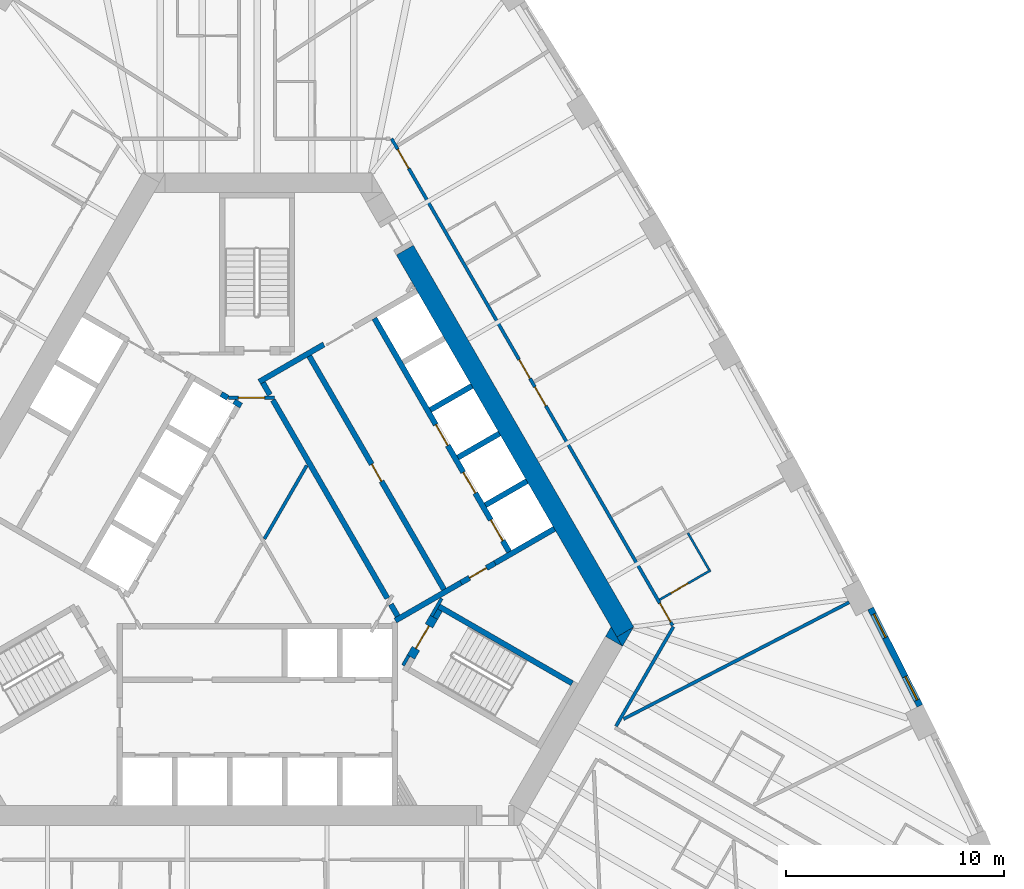
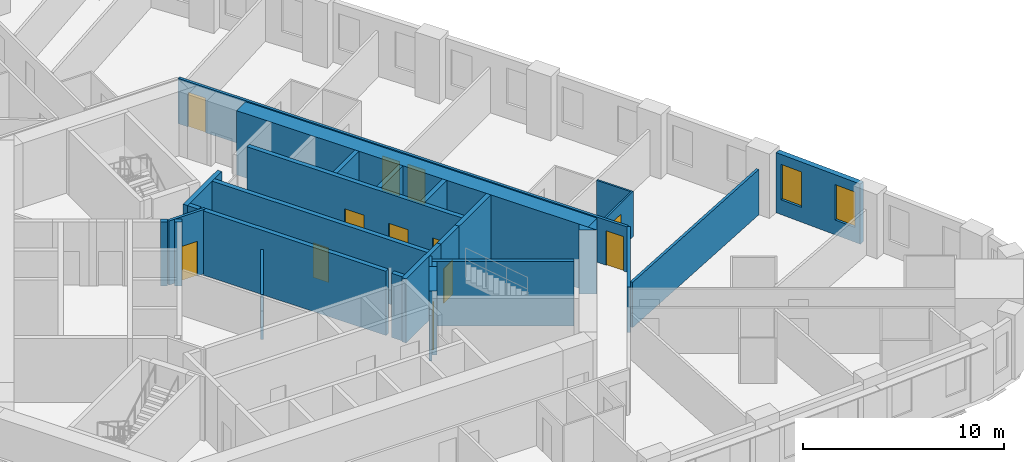
# One storey, part 8 of 13: 30 walls, 12 doors, 2 windows, 14 openings.
"""IFC4 building model written with IfcOpenShell, lengths in metres."""

from ifc_helpers import new_model, si_unit, direction, frame, frame_2d, origin, place, context, subcontext, project, spatial, polyline, rectangle, outline, extrude, material, layer, layer_set, type_object, element, fill, save


model = new_model("IFC4")

# Units and contexts
model_context = context("Model", 3, precision=1e-05, world=origin(), true_north=direction((0.0, 1.0)))
body_context = subcontext(model_context, "Body", "Model", "MODEL_VIEW")
ifc_project = project(units=[si_unit("LENGTHUNIT", "METRE"), si_unit("AREAUNIT", "SQUARE_METRE"), si_unit("VOLUMEUNIT", "CUBIC_METRE"), si_unit("PLANEANGLEUNIT", "RADIAN"), si_unit("MASSUNIT", "GRAM", prefix="KILO")], contexts=[model_context])

# Site, building, storey
site_placement = place(None, origin())
site = spatial("IfcSite", under=ifc_project, at=site_placement, CompositionType="ELEMENT")
building_placement = place(site_placement, origin())
building = spatial("IfcBuilding", under=site, at=building_placement, Name="Mestral Congress Tower", CompositionType="ELEMENT")
storey_placement = place(building_placement, frame((0.0, 0.0, 51.0)))
storey = spatial("IfcBuildingStorey", under=building, at=storey_placement, Name="L11", CompositionType="ELEMENT", Elevation=51.0)

# Walls
ifc_material_1 = material(Name="Fire-rated board partition")
ifc_layer_1 = layer(ifc_material_1, 0.14990234375)
ifc_layer_set_1 = layer_set([ifc_layer_1], Name="Fire-rated board partition")
wall_type_1 = type_object("IfcWallType", Name="Core partition 150", PredefinedType="PARTITIONING", material=ifc_layer_set_1)
wall_1_placement = place(storey_placement, frame((6.94482421875, -5.22216796875, 0.0), z_axis=(0.0, 0.0, 1.0), x_axis=(-0.499818422106, -0.866130212453, 0.0)))
element("IfcWall", 1, at=wall_1_placement, inside=storey, type_object=wall_type_1, Name="L11 core wall", PredefinedType="PARTITIONING", context=body_context, shape_type="SweptSolid", body=[
    extrude(rectangle(XDim=0.513916015625, YDim=0.14990234375, at=frame_2d((0.2568359375, 0.0))), origin(), (0.0, 0.0, 1.0), 2.75),
])
wall_2_placement = place(storey_placement, frame((0.3359375, 0.1318359375, 0.0), z_axis=(0.0, 0.0, 1.0), x_axis=(0.500001957507, 0.866024273614, 0.0)))
element("IfcWall", 2, at=wall_2_placement, inside=storey, type_object=wall_type_1, Name="L11 core wall", PredefinedType="PARTITIONING", context=body_context, shape_type="SweptSolid", body=[
    extrude(rectangle(XDim=3.88134765625, YDim=0.14990234375, at=frame_2d((1.940673828125, 0.0))), origin(), (0.0, 0.0, 1.0), 2.75),
])
ifc_material_2 = material(Name="Concrete C60/75", Category="concrete")
ifc_layer_2 = layer(ifc_material_2, 0.89990234375)
ifc_layer_set_2 = layer_set([ifc_layer_2], Name="Concrete C60/75")
wall_type_2 = type_object("IfcWallType", Name="Core wall RC 900", PredefinedType="SOLIDWALL", material=ifc_layer_set_2)
wall_3_placement = place(storey_placement, frame((6.77587890625, 13.36376953125, 0.0), z_axis=(0.0, 0.0, 1.0), x_axis=(0.500004177138, -0.8660229921, 0.0)))
element("IfcWall", 3, at=wall_3_placement, inside=storey, type_object=wall_type_2, Name="L11 core wall", PredefinedType="SOLIDWALL", context=body_context, shape_type="SweptSolid", body=[
    extrude(rectangle(XDim=20.203857421875, YDim=0.89990234375, at=frame_2d((10.10205078125, 0.0))), origin(), (0.0, 0.0, 1.0), 3.89990234375),
])
placement = place(storey_placement, origin())
element("IfcWall", 4, at=placement, inside=storey, type_object=wall_type_2, Name="L11 core wall", PredefinedType="SOLIDWALL", context=body_context, shape_type="SweptSolid", body=[
    extrude(outline(polyline([(16.7431640625, -4.800048828125), (16.4892578125, -4.360107421875), (17.251220703125, -3.920166015625), (16.7431640625, -4.800048828125)])), origin(), (0.0, 0.0, 1.0), 3.89990234375),
])
element("IfcWall", 5, at=placement, inside=storey, type_object=wall_type_2, Name="L11 core wall", PredefinedType="SOLIDWALL", context=body_context, shape_type="SweptSolid", body=[
    extrude(outline(polyline([(16.223388671875, -3.89990234375), (16.731689453125, -4.780029296875), (15.969482421875, -4.33984375), (16.223388671875, -3.89990234375)])), origin(), (0.0, 0.0, 1.0), 3.89990234375),
])

# Wall, openings, windows
ifc_material_3 = material(Name="Precast concrete C40/50 with limestone facing", Category="masonry")
ifc_layer_3 = layer(ifc_material_3, 0.2900390625)
ifc_layer_set_3 = layer_set([ifc_layer_3], Name="Precast concrete C40/50 with limestone facing")
wall_type_3 = type_object("IfcWallType", Name="Facade stone wall 290", PredefinedType="SOLIDWALL", material=ifc_layer_set_3)
wall_6_placement = place(storey_placement, frame((30.376953125, -7.5205078125, 0.0), z_axis=(0.0, 0.0, 1.0), x_axis=(-0.451233929645, 0.892405704115, 0.0)))
wall_6 = element("IfcWall", 6, at=wall_6_placement, inside=storey, type_object=wall_type_3, Name="Facade wall F1-01", PredefinedType="SOLIDWALL", context=body_context, shape_type="SweptSolid", body=[
    extrude(rectangle(XDim=4.998291015625, YDim=0.2900390625, at=frame_2d((2.4990234375, 0.0))), origin(), (0.0, 0.0, 1.0), 3.64990234375),
])
opening_1_placement = place(wall_6_placement, frame((0.297119140625, 0.0, 0.89990234375)))
opening_1 = element("IfcOpeningElement", 7, at=opening_1_placement, cuts=wall_6, Name="Opening W1", PredefinedType="OPENING", context=body_context, shape_type="SweptSolid", body=[
    extrude(rectangle(XDim=1.199951171875, YDim=2.14990234375, at=frame_2d((0.60009765625, 1.074951171875))), frame((0.0, 0.155029296875, 0.0), z_axis=(0.0, -1.0, 0.0), x_axis=(1.0, 0.0, 0.0)), (0.0, 0.0, 1.0), 0.31005859375),
])
opening_2_placement = place(wall_6_placement, frame((3.501220703125, 0.0, 0.89990234375)))
opening_2 = element("IfcOpeningElement", 8, at=opening_2_placement, cuts=wall_6, Name="Opening W1", PredefinedType="OPENING", context=body_context, shape_type="SweptSolid", body=[
    extrude(rectangle(XDim=1.199951171875, YDim=2.14990234375, at=frame_2d((0.60009765625, 1.074951171875))), frame((0.0, 0.155029296875, 0.0), z_axis=(0.0, -1.0, 0.0), x_axis=(1.0, 0.0, 0.0)), (0.0, 0.0, 1.0), 0.31005859375),
])
ifc_material_4 = material(Name="Clear low-emissivity double glazing", Category="glass")
window_type = type_object("IfcWindowType", Name="Facade punched window 1200 x 2150 sill 900", PartitioningType="DOUBLE_PANEL_VERTICAL", PredefinedType="WINDOW", material=ifc_material_4)
window_1_placement = place(opening_1_placement, origin())
window_1 = element("IfcWindow", 9, at=window_1_placement, inside=storey, type_object=window_type, Name="Window F1-01a", OverallHeight=2.14990234375, OverallWidth=1.199951171875, PartitioningType="DOUBLE_PANEL_VERTICAL", PredefinedType="WINDOW", context=body_context, shape_type="SweptSolid", body=[
    extrude(rectangle(XDim=1.199951171875, YDim=2.14990234375, at=frame_2d((0.60009765625, 1.074951171875))), frame((0.0, 0.01513671875, 0.0), z_axis=(0.0, -1.0, 0.0), x_axis=(1.0, 0.0, 0.0)), (0.0, 0.0, 1.0), 0.06005859375),
])
fill(opening_1, window_1)
window_2_placement = place(opening_2_placement, origin())
window_2 = element("IfcWindow", 10, at=window_2_placement, inside=storey, type_object=window_type, Name="Window F1-01b", OverallHeight=2.14990234375, OverallWidth=1.199951171875, PartitioningType="DOUBLE_PANEL_VERTICAL", PredefinedType="WINDOW", context=body_context, shape_type="SweptSolid", body=[
    extrude(rectangle(XDim=1.199951171875, YDim=2.14990234375, at=frame_2d((0.60009765625, 1.074951171875))), frame((0.0, 0.01513671875, 0.0), z_axis=(0.0, -1.0, 0.0), x_axis=(1.0, 0.0, 0.0)), (0.0, 0.0, 1.0), 0.06005859375),
])
fill(opening_2, window_2)

# Wall, opening, door
ifc_material_5 = material(Name="Gypsum board partition on metal studs with mineral wool", Category="composite")
ifc_layer_4 = layer(ifc_material_5, 0.10009765625)
ifc_layer_set_4 = layer_set([ifc_layer_4], Name="Gypsum board partition on metal studs with mineral wool")
wall_type_4 = type_object("IfcWallType", Name="Hotel partition wall 100", PredefinedType="PARTITIONING", material=ifc_layer_set_4)
wall_7_placement = place(storey_placement, frame((18.45068359375, -2.657470703125, 0.0), z_axis=(0.0, 0.0, 1.0), x_axis=(0.86599734893, 0.500048589285, 0.0)))
wall_7 = element("IfcWall", 11, at=wall_7_placement, inside=storey, type_object=wall_type_4, Name="L11-h-pod11a", PredefinedType="PARTITIONING", context=body_context, shape_type="SweptSolid", body=[
    extrude(rectangle(XDim=2.699951171875, YDim=0.10009765625, at=frame_2d((1.35009765625, 0.0))), origin(), (0.0, 0.0, 1.0), 2.75),
])
opening_3_placement = place(wall_7_placement, frame((0.60009765625, 0.0, 0.0)))
opening_3 = element("IfcOpeningElement", 12, at=opening_3_placement, cuts=wall_7, Name="Opening H03-022", PredefinedType="OPENING", context=body_context, shape_type="SweptSolid", body=[
    extrude(rectangle(XDim=0.89990234375, YDim=2.10009765625, at=frame_2d((0.449951171875, 1.050048828125))), frame((0.0, 0.06005859375, 0.0), z_axis=(0.0, -1.0, 0.0), x_axis=(1.0, 0.0, 0.0)), (0.0, 0.0, 1.0), 0.1201171875),
])
ifc_material_6 = material(Name="Timber veneer door leaf in timber frame", Category="wood")
door_type_1 = type_object("IfcDoorType", Name="Bathroom door 900", OperationType="SINGLE_SWING_LEFT", PredefinedType="DOOR", material=ifc_material_6)
door_1_placement = place(opening_3_placement, origin())
door_1 = element("IfcDoor", 13, at=door_1_placement, inside=storey, type_object=door_type_1, Name="L11-h-d022", OperationType="SINGLE_SWING_LEFT", OverallHeight=2.10009765625, OverallWidth=0.89990234375, PredefinedType="DOOR", context=body_context, shape_type="SweptSolid", body=[
    extrude(rectangle(XDim=0.89990234375, YDim=2.10009765625, at=frame_2d((0.449951171875, 1.050048828125))), frame((0.0, 0.02490234375, 0.0), z_axis=(0.0, -1.0, 0.0), x_axis=(1.0, 0.0, 0.0)), (0.0, 0.0, 1.0), 0.050048828125),
])
fill(opening_3, door_1)

# Walls
wall_8_placement = place(storey_placement, frame((20.715576171875, -1.280517578125, 0.0), z_axis=(0.0, 0.0, 1.0), x_axis=(-0.499969367985, 0.866043088465, 0.0)))
element("IfcWall", 14, at=wall_8_placement, inside=storey, type_object=wall_type_4, Name="L11-h-pod11b", PredefinedType="PARTITIONING", context=body_context, shape_type="SweptSolid", body=[
    extrude(rectangle(XDim=1.93994140625, YDim=0.10009765625, at=frame_2d((0.969970703125, 0.0))), origin(), (0.0, 0.0, 1.0), 2.75),
])
ifc_layer_5 = layer(ifc_material_5, 0.14990234375)
ifc_layer_set_5 = layer_set([ifc_layer_5], Name="Gypsum board partition on metal studs with mineral wool")
wall_type_5 = type_object("IfcWallType", Name="Hotel partition wall 150", PredefinedType="PARTITIONING", material=ifc_layer_set_5)
wall_9_placement = place(storey_placement, frame((19.081298828125, -3.89990234375, 0.0), z_axis=(0.0, 0.0, 1.0), x_axis=(-0.499974327079, -0.866040225545, 0.0)))
element("IfcWall", 15, at=wall_9_placement, inside=storey, type_object=wall_type_5, Name="L11-h-cw02", PredefinedType="PARTITIONING", context=body_context, shape_type="SweptSolid", body=[
    extrude(rectangle(XDim=5.258056640625, YDim=0.14990234375, at=frame_2d((2.62890625, 0.0))), origin(), (0.0, 0.0, 1.0), 2.75),
])

# Wall, openings, doors
wall_10_placement = place(storey_placement, frame((6.1630859375, 18.47509765625, 0.0), z_axis=(0.0, 0.0, 1.0), x_axis=(0.500001317485, -0.866024643133, 0.0)))
wall_10 = element("IfcWall", 16, at=wall_10_placement, inside=storey, type_object=wall_type_5, Name="L11-h-cw03", PredefinedType="PARTITIONING", context=body_context, shape_type="SweptSolid", body=[
    extrude(rectangle(XDim=25.7666015625, YDim=0.14990234375, at=frame_2d((12.88330078125, 0.0))), origin(), (0.0, 0.0, 1.0), 2.75),
])
opening_4_placement = place(wall_10_placement, frame((24.58642578125, 0.0, 0.0)))
opening_4 = element("IfcOpeningElement", 17, at=opening_4_placement, cuts=wall_10, Name="Opening H03-021", PredefinedType="OPENING", context=body_context, shape_type="SweptSolid", body=[
    extrude(rectangle(XDim=1.0, YDim=2.10009765625, at=frame_2d((0.5, 1.050048828125))), frame((0.0, 0.0849609375, 0.0), z_axis=(0.0, -1.0, 0.0), x_axis=(1.0, 0.0, 0.0)), (0.0, 0.0, 1.0), 0.169921875),
])
opening_5_placement = place(wall_10_placement, frame((13.143798828125, 0.0, 0.0)))
opening_5 = element("IfcOpeningElement", 18, at=opening_5_placement, cuts=wall_10, Name="Opening H03-023", PredefinedType="OPENING", context=body_context, shape_type="SweptSolid", body=[
    extrude(rectangle(XDim=1.0, YDim=2.10009765625, at=frame_2d((0.5, 1.050048828125))), frame((0.0, 0.0849609375, 0.0), z_axis=(0.0, -1.0, 0.0), x_axis=(1.0, 0.0, 0.0)), (0.0, 0.0, 1.0), 0.169921875),
])
opening_6_placement = place(wall_10_placement, frame((11.6923828125, 0.0, 0.0)))
opening_6 = element("IfcOpeningElement", 19, at=opening_6_placement, cuts=wall_10, Name="Opening H03-025", PredefinedType="OPENING", context=body_context, shape_type="SweptSolid", body=[
    extrude(rectangle(XDim=1.0, YDim=2.10009765625, at=frame_2d((0.5, 1.050048828125))), frame((0.0, 0.0849609375, 0.0), z_axis=(0.0, -1.0, 0.0), x_axis=(1.0, 0.0, 0.0)), (0.0, 0.0, 1.0), 0.169921875),
])
opening_7_placement = place(wall_10_placement, frame((0.571533203125, 0.0, 0.0)))
opening_7 = element("IfcOpeningElement", 20, at=opening_7_placement, cuts=wall_10, Name="Opening H03-027", PredefinedType="OPENING", context=body_context, shape_type="SweptSolid", body=[
    extrude(rectangle(XDim=1.0, YDim=2.10009765625, at=frame_2d((0.5, 1.050048828125))), frame((0.0, 0.0849609375, 0.0), z_axis=(0.0, -1.0, 0.0), x_axis=(1.0, 0.0, 0.0)), (0.0, 0.0, 1.0), 0.169921875),
])
ifc_material_7 = material(Name="Timber veneer door leaf in metal frame", Category="wood")
door_type_2 = type_object("IfcDoorType", Name="Guest room entrance door 1000", OperationType="SINGLE_SWING_LEFT", PredefinedType="DOOR", material=ifc_material_7)
door_2_placement = place(opening_4_placement, origin())
door_2 = element("IfcDoor", 21, at=door_2_placement, inside=storey, type_object=door_type_2, Name="L11-h-d021", OperationType="SINGLE_SWING_RIGHT", OverallHeight=2.10009765625, OverallWidth=1.0, PredefinedType="DOOR", context=body_context, shape_type="SweptSolid", body=[
    extrude(rectangle(XDim=1.0, YDim=2.10009765625, at=frame_2d((0.5, 1.050048828125))), frame((0.0, 0.02490234375, 0.0), z_axis=(0.0, -1.0, 0.0), x_axis=(1.0, 0.0, 0.0)), (0.0, 0.0, 1.0), 0.050048828125),
])
fill(opening_4, door_2)
door_3_placement = place(opening_5_placement, origin())
door_3 = element("IfcDoor", 22, at=door_3_placement, inside=storey, type_object=door_type_2, Name="L11-h-d023", OperationType="SINGLE_SWING_LEFT", OverallHeight=2.10009765625, OverallWidth=1.0, PredefinedType="DOOR", context=body_context, shape_type="SweptSolid", body=[
    extrude(rectangle(XDim=1.0, YDim=2.10009765625, at=frame_2d((0.5, 1.050048828125))), frame((0.0, 0.02490234375, 0.0), z_axis=(0.0, -1.0, 0.0), x_axis=(1.0, 0.0, 0.0)), (0.0, 0.0, 1.0), 0.050048828125),
])
fill(opening_5, door_3)
door_4_placement = place(opening_6_placement, origin())
door_4 = element("IfcDoor", 23, at=door_4_placement, inside=storey, type_object=door_type_2, Name="L11-h-d025", OperationType="SINGLE_SWING_RIGHT", OverallHeight=2.10009765625, OverallWidth=1.0, PredefinedType="DOOR", context=body_context, shape_type="SweptSolid", body=[
    extrude(rectangle(XDim=1.0, YDim=2.10009765625, at=frame_2d((0.5, 1.050048828125))), frame((0.0, 0.02490234375, 0.0), z_axis=(0.0, -1.0, 0.0), x_axis=(1.0, 0.0, 0.0)), (0.0, 0.0, 1.0), 0.050048828125),
])
fill(opening_6, door_4)
door_5_placement = place(opening_7_placement, origin())
door_5 = element("IfcDoor", 24, at=door_5_placement, inside=storey, type_object=door_type_2, Name="L11-h-d027", OperationType="SINGLE_SWING_LEFT", OverallHeight=2.10009765625, OverallWidth=1.0, PredefinedType="DOOR", context=body_context, shape_type="SweptSolid", body=[
    extrude(rectangle(XDim=1.0, YDim=2.10009765625, at=frame_2d((0.5, 1.050048828125))), frame((0.0, 0.02490234375, 0.0), z_axis=(0.0, -1.0, 0.0), x_axis=(1.0, 0.0, 0.0)), (0.0, 0.0, 1.0), 0.050048828125),
])
fill(opening_7, door_5)

# Walls
wall_11_placement = place(storey_placement, frame((27.133544921875, -2.779052734375, 0.0), z_axis=(0.0, 0.0, 1.0), x_axis=(-0.8882049501, -0.459447457951, 0.0)))
element("IfcWall", 25, at=wall_11_placement, inside=storey, type_object=wall_type_5, Name="L11-h-pw23", PredefinedType="PARTITIONING", context=body_context, shape_type="SweptSolid", body=[
    extrude(rectangle(XDim=11.63818359375, YDim=0.14990234375, at=frame_2d((5.819091796875, 0.0))), origin(), (0.0, 0.0, 1.0), 2.75),
])
ifc_layer_6 = layer(ifc_material_2, 0.25)
ifc_layer_set_6 = layer_set([ifc_layer_6], Name="Concrete C60/75")
wall_type_6 = type_object("IfcWallType", Name="Shaft wall RC 250", PredefinedType="SOLIDWALL", material=ifc_layer_set_6)
wall_12_placement = place(storey_placement, frame((10.463623046875, 1.676513671875, 0.0), z_axis=(0.0, 0.0, 1.0), x_axis=(0.86605622881, 0.499946605688, 0.0)))
element("IfcWall", 26, at=wall_12_placement, inside=storey, type_object=wall_type_6, Name="L11 core wall", PredefinedType="SOLIDWALL", context=body_context, shape_type="SweptSolid", body=[
    extrude(rectangle(XDim=2.199951171875, YDim=0.25, at=frame_2d((1.10009765625, 0.0))), origin(), (0.0, 0.0, 1.0), 3.89990234375),
])
wall_13_placement = place(storey_placement, frame((13.62890625, 0.593994140625, 0.0), z_axis=(0.0, 0.0, 1.0), x_axis=(-0.86602790099, -0.499995674689, 0.0)))
element("IfcWall", 27, at=wall_13_placement, inside=storey, type_object=wall_type_6, Name="L11 core wall", PredefinedType="SOLIDWALL", context=body_context, shape_type="SweptSolid", body=[
    extrude(rectangle(XDim=3.1455078125, YDim=0.25, at=frame_2d((1.57275390625, 0.0))), origin(), (0.0, 0.0, 1.0), 3.89990234375),
])
wall_14_placement = place(storey_placement, frame((9.345703125, -1.87890625, 0.0), z_axis=(0.0, 0.0, 1.0), x_axis=(-0.866048528039, -0.499959945477, 0.0)))
element("IfcWall", 28, at=wall_14_placement, inside=storey, type_object=wall_type_6, Name="L11 core wall", PredefinedType="SOLIDWALL", context=body_context, shape_type="SweptSolid", body=[
    extrude(rectangle(XDim=3.470458984375, YDim=0.25, at=frame_2d((1.7353515625, 0.0))), origin(), (0.0, 0.0, 1.0), 3.89990234375),
])
wall_15_placement = place(storey_placement, frame((6.1298828125, -2.867431640625, 0.0), z_axis=(0.0, 0.0, 1.0), x_axis=(0.500160776593, -0.865932559475, 0.0)))
element("IfcWall", 29, at=wall_15_placement, inside=storey, type_object=wall_type_6, Name="L11 core wall", PredefinedType="SOLIDWALL", context=body_context, shape_type="SweptSolid", body=[
    extrude(rectangle(XDim=0.626708984375, YDim=0.25, at=frame_2d((0.3134765625, 0.0))), origin(), (0.0, 0.0, 1.0), 3.89990234375),
])
for number, where, z_axis, x_axis, name in (
    (30, (9.20361328125, 3.85888671875, 0.0), (0.0, 0.0, 1.0), (0.86605622881, 0.499946605688, 0.0), "L11 core wall"),
    (31, (7.943603515625, 6.041259765625, 0.0), (0.0, 0.0, 1.0), (0.86605622881, 0.499946605688, 0.0), "L11 core wall"),
):
    element("IfcWall", number, at=place(storey_placement, frame(where, z_axis=z_axis, x_axis=x_axis)), inside=storey, type_object=wall_type_6, Name=name, PredefinedType="SOLIDWALL", context=body_context, shape_type="SweptSolid", body=[
        extrude(rectangle(XDim=2.199951171875, YDim=0.25, at=frame_2d((1.10009765625, 0.0))), origin(), (0.0, 0.0, 1.0), 3.89990234375),
    ])
element("IfcWall", 32, at=placement, inside=storey, type_object=wall_type_6, Name="L11 core wall", PredefinedType="SOLIDWALL", context=body_context, shape_type="SweptSolid", body=[
    extrude(outline(polyline([(2.776123046875, 8.73291015625), (2.49853515625, 8.57275390625), (2.498291015625, 8.57275390625), (2.498291015625, 8.57275390625), (2.28173828125, 8.44775390625), (2.28173828125, 8.44775390625), (0.376708984375, 7.34765625), (0.16015625, 7.22265625), (0.03515625, 7.439208984375), (3.031982421875, 9.16943359375), (3.02978515625, 9.152099609375), (3.029541015625, 9.132568359375), (3.03125, 9.113037109375), (3.03466796875, 9.09375), (3.0400390625, 9.074951171875), (3.04736328125, 9.056640625), (3.05615234375, 9.0390625), (3.118896484375, 8.930908203125), (2.776123046875, 8.73291015625)])), origin(), (0.0, 0.0, 1.0), 3.89990234375),
])
wall_17_placement = place(storey_placement, frame((0.268310546875, 7.28515625, 0.0), z_axis=(0.0, 0.0, 1.0), x_axis=(0.500098681536, -0.865968422476, 0.0)))
element("IfcWall", 33, at=wall_17_placement, inside=storey, type_object=wall_type_6, Name="L11 core wall", PredefinedType="SOLIDWALL", context=body_context, shape_type="SweptSolid", body=[
    extrude(rectangle(XDim=0.636474609375, YDim=0.25, at=frame_2d((0.318359375, 0.0))), origin(), (0.0, 0.0, 1.0), 3.89990234375),
])
wall_18_placement = place(storey_placement, frame((5.970458984375, -2.591064453125, 0.0), z_axis=(0.0, 0.0, 1.0), x_axis=(-0.499994469932, 0.866028596547, 0.0)))
element("IfcWall", 34, at=wall_18_placement, inside=storey, type_object=wall_type_6, Name="L11 core wall", PredefinedType="SOLIDWALL", context=body_context, shape_type="SweptSolid", body=[
    extrude(rectangle(XDim=10.48828125, YDim=0.25, at=frame_2d((5.244140625, 0.0))), origin(), (0.0, 0.0, 1.0), 3.89990234375),
])
wall_19_placement = place(storey_placement, frame((-1.34228515625, 6.5947265625, 0.0), z_axis=(0.0, 0.0, 1.0), x_axis=(-0.866046247233, 0.49996389635, 0.0)))
element("IfcWall", 35, at=wall_19_placement, inside=storey, type_object=wall_type_6, Name="L11 core wall", PredefinedType="SOLIDWALL", context=body_context, shape_type="SweptSolid", body=[
    extrude(rectangle(XDim=0.35009765625, YDim=0.25, at=frame_2d((0.175048828125, 0.0))), origin(), (0.0, 0.0, 1.0), 3.89990234375),
])
wall_20_placement = place(storey_placement, frame((-0.7275390625, 6.23974609375, 0.0), z_axis=(0.0, 0.0, 1.0), x_axis=(-0.866088799389, 0.499890179513, 0.0)))
element("IfcWall", 36, at=wall_20_placement, inside=storey, type_object=wall_type_6, Name="L11 core wall", PredefinedType="SOLIDWALL", context=body_context, shape_type="SweptSolid", body=[
    extrude(rectangle(XDim=0.3779296875, YDim=0.25, at=frame_2d((0.18896484375, 0.0))), origin(), (0.0, 0.0, 1.0), 3.89990234375),
])

# Wall, openings, doors
wall_21_placement = place(storey_placement, frame((11.552978515625, -0.460205078125, 0.0), z_axis=(0.0, 0.0, 1.0), x_axis=(-0.500006514828, 0.866021642414, 0.0)))
wall_21 = element("IfcWall", 37, at=wall_21_placement, inside=storey, type_object=wall_type_6, Name="L11 door wall", PredefinedType="SOLIDWALL", context=body_context, shape_type="SweptSolid", body=[
    extrude(rectangle(XDim=12.349853515625, YDim=0.25, at=frame_2d((6.1748046875, 0.0))), origin(), (0.0, 0.0, 1.0), 3.89990234375),
])
opening_8_placement = place(wall_21_placement, frame((0.5849609375, 0.0, 0.0)))
opening_8 = element("IfcOpeningElement", 38, at=opening_8_placement, cuts=wall_21, Name="Opening LD-NEA1", PredefinedType="OPENING", context=body_context, shape_type="SweptSolid", body=[
    extrude(rectangle(XDim=1.10009765625, YDim=2.10009765625, at=frame_2d((0.550048828125, 1.050048828125))), frame((0.0, 0.135009765625, 0.0), z_axis=(0.0, -1.0, 0.0), x_axis=(1.0, 0.0, 0.0)), (0.0, 0.0, 1.0), 0.27001953125),
])
opening_9_placement = place(wall_21_placement, frame((3.10498046875, 0.0, 0.0)))
opening_9 = element("IfcOpeningElement", 39, at=opening_9_placement, cuts=wall_21, Name="Opening LD-NEA2", PredefinedType="OPENING", context=body_context, shape_type="SweptSolid", body=[
    extrude(rectangle(XDim=1.10009765625, YDim=2.10009765625, at=frame_2d((0.550048828125, 1.050048828125))), frame((0.0, 0.135009765625, 0.0), z_axis=(0.0, -1.0, 0.0), x_axis=(1.0, 0.0, 0.0)), (0.0, 0.0, 1.0), 0.27001953125),
])
opening_10_placement = place(wall_21_placement, frame((5.625, 0.0, 0.0)))
opening_10 = element("IfcOpeningElement", 40, at=opening_10_placement, cuts=wall_21, Name="Opening LD-NEA3", PredefinedType="OPENING", context=body_context, shape_type="SweptSolid", body=[
    extrude(rectangle(XDim=1.10009765625, YDim=2.10009765625, at=frame_2d((0.550048828125, 1.050048828125))), frame((0.0, 0.135009765625, 0.0), z_axis=(0.0, -1.0, 0.0), x_axis=(1.0, 0.0, 0.0)), (0.0, 0.0, 1.0), 0.27001953125),
])
ifc_material_8 = material(Name="Fire-rated steel door set", Category="steel")
door_type_3 = type_object("IfcDoorType", Name="Core door LD 1100x2100", OperationType="DOUBLE_DOOR_SLIDING", PredefinedType="DOOR", material=ifc_material_8)
door_6_placement = place(opening_8_placement, origin())
door_6 = element("IfcDoor", 41, at=door_6_placement, inside=storey, type_object=door_type_3, Name="Door LD-NEA1", OperationType="DOUBLE_DOOR_SLIDING", OverallHeight=2.10009765625, OverallWidth=1.10009765625, PredefinedType="DOOR", context=body_context, shape_type="SweptSolid", body=[
    extrude(rectangle(XDim=1.10009765625, YDim=2.10009765625, at=frame_2d((0.550048828125, 1.050048828125))), frame((0.0, 0.02490234375, 0.0), z_axis=(0.0, -1.0, 0.0), x_axis=(1.0, 0.0, 0.0)), (0.0, 0.0, 1.0), 0.050048828125),
])
fill(opening_8, door_6)
door_7_placement = place(opening_9_placement, origin())
door_7 = element("IfcDoor", 42, at=door_7_placement, inside=storey, type_object=door_type_3, Name="Door LD-NEA2", OperationType="DOUBLE_DOOR_SLIDING", OverallHeight=2.10009765625, OverallWidth=1.10009765625, PredefinedType="DOOR", context=body_context, shape_type="SweptSolid", body=[
    extrude(rectangle(XDim=1.10009765625, YDim=2.10009765625, at=frame_2d((0.550048828125, 1.050048828125))), frame((0.0, 0.02490234375, 0.0), z_axis=(0.0, -1.0, 0.0), x_axis=(1.0, 0.0, 0.0)), (0.0, 0.0, 1.0), 0.050048828125),
])
fill(opening_9, door_7)
door_8_placement = place(opening_10_placement, origin())
door_8 = element("IfcDoor", 43, at=door_8_placement, inside=storey, type_object=door_type_3, Name="Door LD-NEA3", OperationType="DOUBLE_DOOR_SLIDING", OverallHeight=2.10009765625, OverallWidth=1.10009765625, PredefinedType="DOOR", context=body_context, shape_type="SweptSolid", body=[
    extrude(rectangle(XDim=1.10009765625, YDim=2.10009765625, at=frame_2d((0.550048828125, 1.050048828125))), frame((0.0, 0.02490234375, 0.0), z_axis=(0.0, -1.0, 0.0), x_axis=(1.0, 0.0, 0.0)), (0.0, 0.0, 1.0), 0.050048828125),
])
fill(opening_10, door_8)

# Wall, opening, door
wall_22_placement = place(storey_placement, frame((8.565185546875, -2.185302734375, 0.0), z_axis=(0.0, 0.0, 1.0), x_axis=(-0.499997954832, 0.866026584559, 0.0)))
wall_22 = element("IfcWall", 44, at=wall_22_placement, inside=storey, type_object=wall_type_6, Name="L11 door wall", PredefinedType="SOLIDWALL", context=body_context, shape_type="SweptSolid", body=[
    extrude(rectangle(XDim=12.35009765625, YDim=0.25, at=frame_2d((6.175048828125, 0.0))), origin(), (0.0, 0.0, 1.0), 3.89990234375),
])
opening_11_placement = place(wall_22_placement, frame((5.72509765625, 0.0, 0.0)))
opening_11 = element("IfcOpeningElement", 45, at=opening_11_placement, cuts=wall_22, Name="Opening SR-NEB1", PredefinedType="OPENING", context=body_context, shape_type="SweptSolid", body=[
    extrude(rectangle(XDim=0.89990234375, YDim=2.10009765625, at=frame_2d((0.449951171875, 1.050048828125))), frame((0.0, 0.135009765625, 0.0), z_axis=(0.0, -1.0, 0.0), x_axis=(1.0, 0.0, 0.0)), (0.0, 0.0, 1.0), 0.27001953125),
])
door_type_4 = type_object("IfcDoorType", Name="Core door SR 900x2100", OperationType="SINGLE_SWING_LEFT", PredefinedType="DOOR", material=ifc_material_8)
door_9_placement = place(opening_11_placement, origin())
door_9 = element("IfcDoor", 46, at=door_9_placement, inside=storey, type_object=door_type_4, Name="Door SR-NEB1", OperationType="SINGLE_SWING_LEFT", OverallHeight=2.10009765625, OverallWidth=0.89990234375, PredefinedType="DOOR", context=body_context, shape_type="SweptSolid", body=[
    extrude(rectangle(XDim=0.89990234375, YDim=2.10009765625, at=frame_2d((0.449951171875, 1.050048828125))), frame((0.0, 0.02490234375, 0.0), z_axis=(0.0, -1.0, 0.0), x_axis=(1.0, 0.0, 0.0)), (0.0, 0.0, 1.0), 0.050048828125),
])
fill(opening_11, door_9)

wall_23_placement = place(storey_placement, frame((9.345947265625, -1.878662109375, 0.0), z_axis=(0.0, 0.0, 1.0), x_axis=(0.866047807691, 0.499961193289, 0.0)))
wall_23 = element("IfcWall", 47, at=wall_23_placement, inside=storey, type_object=wall_type_6, Name="L11 door wall", PredefinedType="SOLIDWALL", context=body_context, shape_type="SweptSolid", body=[
    extrude(rectangle(XDim=1.800048828125, YDim=0.25, at=frame_2d((0.89990234375, 0.0))), origin(), (0.0, 0.0, 1.0), 3.89990234375),
])
opening_12_placement = place(wall_23_placement, frame((0.449951171875, 0.0, 0.0)))
opening_12 = element("IfcOpeningElement", 48, at=opening_12_placement, cuts=wall_23, Name="Opening TD1", PredefinedType="OPENING", context=body_context, shape_type="SweptSolid", body=[
    extrude(rectangle(XDim=0.89990234375, YDim=2.10009765625, at=frame_2d((0.449951171875, 1.050048828125))), frame((0.0, 0.135009765625, 0.0), z_axis=(0.0, -1.0, 0.0), x_axis=(1.0, 0.0, 0.0)), (0.0, 0.0, 1.0), 0.27001953125),
])
door_10_placement = place(opening_12_placement, origin())
door_10 = element("IfcDoor", 49, at=door_10_placement, inside=storey, type_object=door_type_4, Name="Door TD1", OperationType="SINGLE_SWING_LEFT", OverallHeight=2.10009765625, OverallWidth=0.89990234375, PredefinedType="DOOR", context=body_context, shape_type="SweptSolid", body=[
    extrude(rectangle(XDim=0.89990234375, YDim=2.10009765625, at=frame_2d((0.449951171875, 1.050048828125))), frame((0.0, 0.02490234375, 0.0), z_axis=(0.0, -1.0, 0.0), x_axis=(1.0, 0.0, 0.0)), (0.0, 0.0, 1.0), 0.050048828125),
])
fill(opening_12, door_10)

# Wall
ifc_layer_7 = layer(ifc_material_2, 0.14990234375)
ifc_layer_set_7 = layer_set([ifc_layer_7], Name="Concrete C60/75")
wall_type_7 = type_object("IfcWallType", Name="Shaft wall RC 250 door-wall 150", PredefinedType="SOLIDWALL", material=ifc_layer_set_7)
wall_24_placement = place(storey_placement, frame((8.459228515625, -2.59912109375, 0.0), z_axis=(0.0, 0.0, 1.0), x_axis=(-0.500041054325, -0.866001699761, 0.0)))
element("IfcWall", 50, at=wall_24_placement, inside=storey, type_object=wall_type_7, Name="L11 core wall", PredefinedType="PARTITIONING", context=body_context, shape_type="SweptSolid", body=[
    extrude(rectangle(XDim=0.9287109375, YDim=0.14990234375, at=frame_2d((0.46435546875, 0.0))), origin(), (0.0, 0.0, 1.0), 3.89990234375),
])

# Wall, opening, door
wall_25_placement = place(storey_placement, frame((-1.303466796875, 6.60009765625, 0.0), z_axis=(0.0, 0.0, 1.0), x_axis=(1.0, 0.0, 0.0)))
wall_25 = element("IfcWall", 51, at=wall_25_placement, inside=storey, type_object=wall_type_7, Name="L11 door wall", PredefinedType="PARTITIONING", context=body_context, shape_type="SweptSolid", body=[
    extrude(rectangle(XDim=2.099853515625, YDim=0.14990234375, at=frame_2d((1.0498046875, 0.0))), origin(), (0.0, 0.0, 1.0), 3.89990234375),
])
opening_13_placement = place(wall_25_placement, frame((0.449951171875, 0.0, 0.0)))
opening_13 = element("IfcOpeningElement", 52, at=opening_13_placement, cuts=wall_25, Name="Opening CD2-HUB1", PredefinedType="OPENING", context=body_context, shape_type="SweptSolid", body=[
    extrude(rectangle(XDim=1.199951171875, YDim=2.10009765625, at=frame_2d((0.60009765625, 1.050048828125))), frame((0.0, 0.0849609375, 0.0), z_axis=(0.0, -1.0, 0.0), x_axis=(1.0, 0.0, 0.0)), (0.0, 0.0, 1.0), 0.169921875),
])
door_type_5 = type_object("IfcDoorType", Name="Core door CD 1200x2100", OperationType="SINGLE_SWING_LEFT", PredefinedType="DOOR", material=ifc_material_8)
door_11_placement = place(opening_13_placement, origin())
door_11 = element("IfcDoor", 53, at=door_11_placement, inside=storey, type_object=door_type_5, Name="Door CD2-HUB1", OperationType="SINGLE_SWING_LEFT", OverallHeight=2.10009765625, OverallWidth=1.199951171875, PredefinedType="DOOR", context=body_context, shape_type="SweptSolid", body=[
    extrude(rectangle(XDim=1.199951171875, YDim=2.10009765625, at=frame_2d((0.60009765625, 1.050048828125))), frame((0.0, 0.02490234375, 0.0), z_axis=(0.0, -1.0, 0.0), x_axis=(1.0, 0.0, 0.0)), (0.0, 0.0, 1.0), 0.050048828125),
])
fill(opening_13, door_11)

# Walls
ifc_layer_8 = layer(ifc_material_2, 0.25)
ifc_layer_set_8 = layer_set([ifc_layer_8], Name="Concrete C60/75")
wall_type_8 = type_object("IfcWallType", Name="Stair wall RC 250", PredefinedType="SOLIDWALL", material=ifc_layer_set_8)
wall_26_placement = place(storey_placement, frame((8.33447265625, -2.96435546875, 0.0), z_axis=(0.0, 0.0, 1.0), x_axis=(0.866016039709, -0.500016218704, 0.0)))
element("IfcWall", 54, at=wall_26_placement, inside=storey, type_object=wall_type_8, Name="L11 core wall", PredefinedType="SOLIDWALL", context=body_context, shape_type="SweptSolid", body=[
    extrude(rectangle(XDim=7.050048828125, YDim=0.25, at=frame_2d((3.52490234375, 0.0))), origin(), (0.0, 0.0, 1.0), 3.89990234375),
])
wall_27_placement = place(storey_placement, frame((8.167724609375, -3.503173828125, 0.0), z_axis=(0.0, 0.0, 1.0), x_axis=(0.49972245349, 0.866185586049, 0.0)))
element("IfcWall", 55, at=wall_27_placement, inside=storey, type_object=wall_type_8, Name="L11 core wall", PredefinedType="SOLIDWALL", context=body_context, shape_type="SweptSolid", body=[
    extrude(rectangle(XDim=0.425048828125, YDim=0.25, at=frame_2d((0.21240234375, 0.0))), origin(), (0.0, 0.0, 1.0), 3.89990234375),
])

# Wall, opening, door
ifc_layer_9 = layer(ifc_material_2, 0.39990234375)
ifc_layer_set_9 = layer_set([ifc_layer_9], Name="Concrete C60/75")
wall_type_9 = type_object("IfcWallType", Name="Stair wall RC 250 door-wall 400", PredefinedType="SOLIDWALL", material=ifc_layer_set_9)
wall_28_placement = place(storey_placement, frame((7.052734375, -5.2841796875, 0.0), z_axis=(0.0, 0.0, 1.0), x_axis=(0.500078061341, 0.865980330357, 0.0)))
wall_28 = element("IfcWall", 56, at=wall_28_placement, inside=storey, type_object=wall_type_9, Name="L11 door wall", PredefinedType="SOLIDWALL", context=body_context, shape_type="SweptSolid", body=[
    extrude(rectangle(XDim=2.099853515625, YDim=0.39990234375, at=frame_2d((1.0498046875, 0.0))), origin(), (0.0, 0.0, 1.0), 3.89990234375),
])
opening_14_placement = place(wall_28_placement, frame((0.449951171875, 0.0, 0.0)))
opening_14 = element("IfcOpeningElement", 57, at=opening_14_placement, cuts=wall_28, Name="Opening ST-D1", PredefinedType="OPENING", context=body_context, shape_type="SweptSolid", body=[
    extrude(rectangle(XDim=1.199951171875, YDim=2.10009765625, at=frame_2d((0.60009765625, 1.050048828125))), frame((0.0, 0.2099609375, 0.0), z_axis=(0.0, -1.0, 0.0), x_axis=(1.0, 0.0, 0.0)), (0.0, 0.0, 1.0), 0.419921875),
])
door_type_6 = type_object("IfcDoorType", Name="Core door ST 1200x2100", OperationType="SINGLE_SWING_LEFT", PredefinedType="DOOR", material=ifc_material_8)
door_12_placement = place(opening_14_placement, origin())
door_12 = element("IfcDoor", 58, at=door_12_placement, inside=storey, type_object=door_type_6, Name="Door ST-D1", OperationType="SINGLE_SWING_LEFT", OverallHeight=2.10009765625, OverallWidth=1.199951171875, PredefinedType="DOOR", context=body_context, shape_type="SweptSolid", body=[
    extrude(rectangle(XDim=1.199951171875, YDim=2.10009765625, at=frame_2d((0.60009765625, 1.050048828125))), frame((0.0, 0.02490234375, 0.0), z_axis=(0.0, -1.0, 0.0), x_axis=(1.0, 0.0, 0.0)), (0.0, 0.0, 1.0), 0.050048828125),
])
fill(opening_14, door_12)

save(model, "model.ifc")
